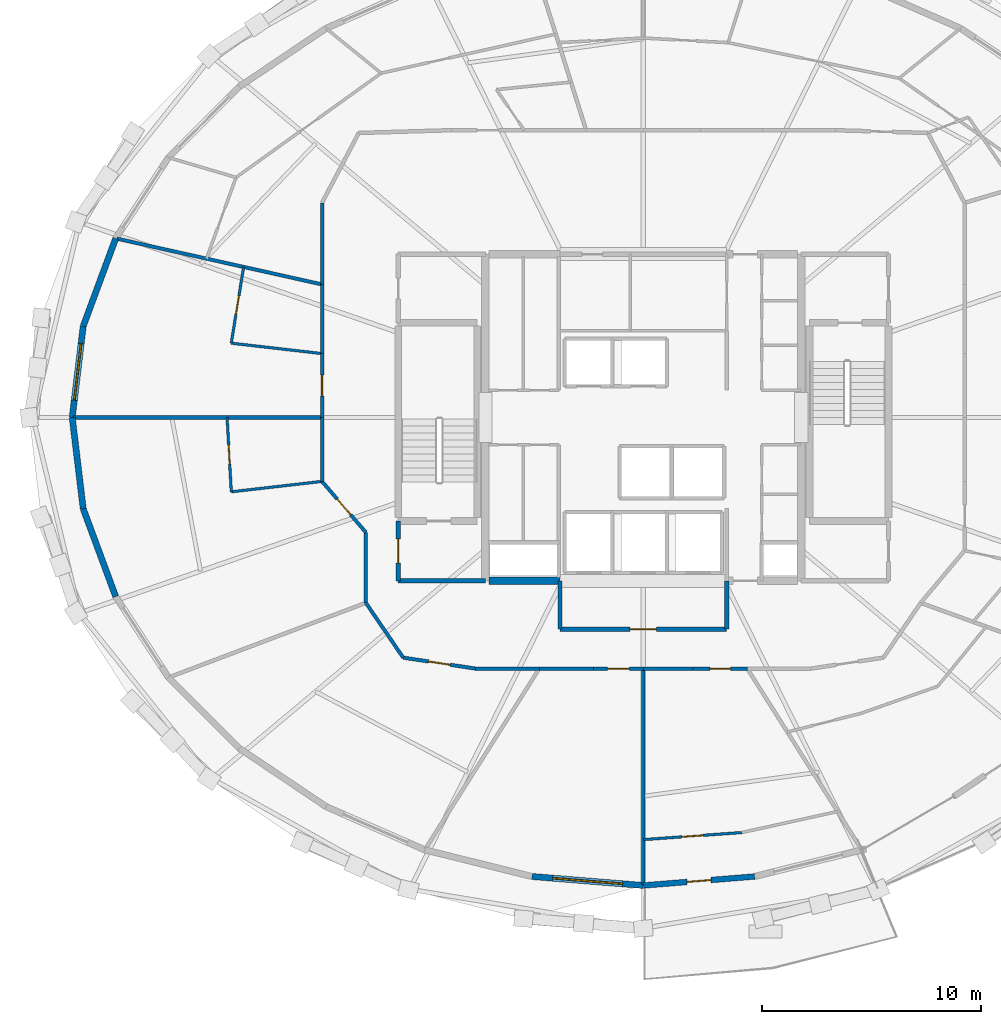
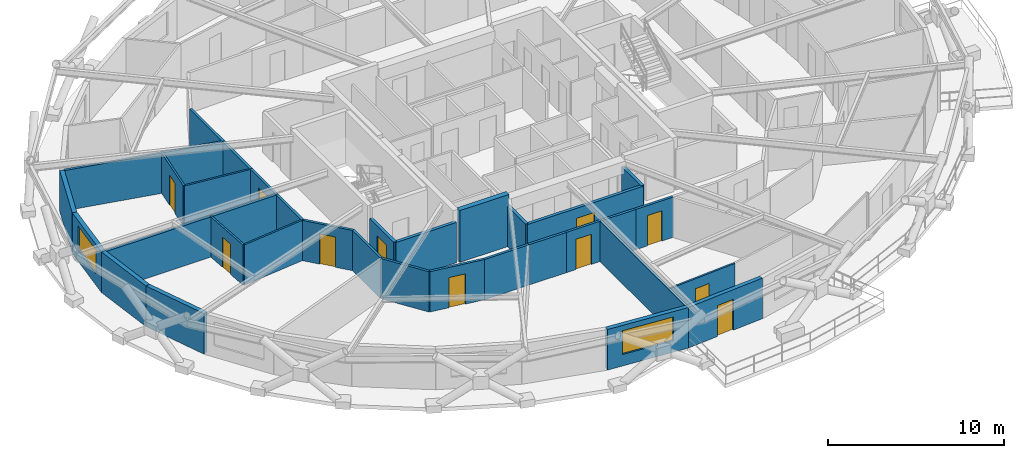
# One storey, part 10 of 16: 33 walls, 11 doors, 2 windows, 13 openings.
"""IFC4 building model written with IfcOpenShell, lengths in metres."""

from ifc_helpers import new_model, si_unit, direction, frame, frame_2d, origin, place, context, subcontext, project, spatial, rectangle, extrude, material, layer, layer_set, type_object, element, fill, save


model = new_model("IFC4")

# Units and contexts
model_context = context("Model", 3, precision=1e-05, world=origin(), true_north=direction((0.0, 1.0)))
body_context = subcontext(model_context, "Body", "Model", "MODEL_VIEW")
ifc_project = project(units=[si_unit("LENGTHUNIT", "METRE"), si_unit("AREAUNIT", "SQUARE_METRE"), si_unit("VOLUMEUNIT", "CUBIC_METRE"), si_unit("PLANEANGLEUNIT", "RADIAN"), si_unit("MASSUNIT", "GRAM", prefix="KILO")], contexts=[model_context])

# Site, building, storey
site_placement = place(None, origin())
site = spatial("IfcSite", under=ifc_project, at=site_placement, CompositionType="ELEMENT")
building_placement = place(site_placement, origin())
building = spatial("IfcBuilding", under=site, at=building_placement, Name="Veldorina Hangang Commons", CompositionType="ELEMENT")
storey_placement = place(building_placement, frame((0.0, 0.0, 174.800048828125)))
storey = spatial("IfcBuildingStorey", under=building, at=storey_placement, Name="L45", CompositionType="ELEMENT", Elevation=174.800048828125)

# Wall
ifc_material_1 = material(Name="Concrete C60/75", Category="concrete")
ifc_layer_1 = layer(ifc_material_1, 0.340087890625)
ifc_layer_set_1 = layer_set([ifc_layer_1], Name="Concrete C60/75")
wall_type_1 = type_object("IfcWallType", Name="CW-RC340-C60", PredefinedType="SHEAR", material=ifc_layer_set_1)
wall_1_placement = place(storey_placement, frame((24.969970703125, 16.550048828125, 0.0), z_axis=(0.0, 0.0, 1.0), x_axis=(1.0, 0.0, 0.0)))
element("IfcWall", 1, at=wall_1_placement, inside=storey, type_object=wall_type_1, Name="L45 south-west core shear wall", PredefinedType="SHEAR", context=body_context, shape_type="SweptSolid", body=[
    extrude(rectangle(XDim=3.22998046875, YDim=0.340087890625, at=frame_2d((1.614990234375, 0.0))), origin(), (0.0, 0.0, 1.0), 3.599853515625),
])

# Wall, opening, door
ifc_material_2 = material(Name="Stone Roman Travertine", Category="masonry")
ifc_layer_2 = layer(ifc_material_2, 0.260009765625)
ifc_layer_set_2 = layer_set([ifc_layer_2], Name="Stone Roman Travertine")
wall_type_2 = type_object("IfcWallType", Name="EW-LOGGIA-260", PredefinedType="STANDARD", material=ifc_layer_set_2)
wall_2_placement = place(storey_placement, frame((32.0, 2.659912109375, 0.0), z_axis=(0.0, 0.0, 1.0), x_axis=(0.996756522082, 0.080476305128, 0.0)))
wall_2 = element("IfcWall", 2, at=wall_2_placement, inside=storey, type_object=wall_type_2, Name="L45 sky-garden loggia portal wall 24", PredefinedType="STANDARD", context=body_context, shape_type="SweptSolid", body=[
    extrude(rectangle(XDim=5.0966796875, YDim=0.260009765625, at=frame_2d((2.54833984375, 0.0))), origin(), (0.0, 0.0, 1.0), 2.820068359375),
])
opening_1_placement = place(wall_2_placement, frame((1.998291015625, 0.0, 0.0)))
opening_1 = element("IfcOpeningElement", 3, at=opening_1_placement, cuts=wall_2, Name="Opening BD-1100", PredefinedType="OPENING", context=body_context, shape_type="SweptSolid", body=[
    extrude(rectangle(XDim=1.10009765625, YDim=2.14990234375, at=frame_2d((0.550048828125, 1.074951171875))), frame((0.0, 0.14013671875, 0.0), z_axis=(0.0, -1.0, 0.0), x_axis=(1.0, 0.0, 0.0)), (0.0, 0.0, 1.0), 0.280029296875),
])
ifc_material_3 = material(Name="Glass Thermal Aluminium Frame", Category="aluminium")
door_type_1 = type_object("IfcDoorType", Name="DR-EXT-BAL1100", OperationType="SINGLE_SWING_RIGHT", PredefinedType="DOOR", material=ifc_material_3)
door_1_placement = place(opening_1_placement, origin())
door_1 = element("IfcDoor", 4, at=door_1_placement, inside=storey, type_object=door_type_1, Name="L45 tree balcony glazed exterior door 24", OperationType="SINGLE_SWING_LEFT", OverallHeight=2.14990234375, OverallWidth=1.10009765625, PredefinedType="DOOR", context=body_context, shape_type="SweptSolid", body=[
    extrude(rectangle(XDim=1.10009765625, YDim=2.14990234375, at=frame_2d((0.550048828125, 1.074951171875))), frame((0.0, 0.02490234375, 0.0), z_axis=(0.0, -1.0, 0.0), x_axis=(1.0, 0.0, 0.0)), (0.0, 0.0, 1.0), 0.050048828125),
])
fill(opening_1, door_1)

# Wall
ifc_layer_3 = layer(ifc_material_2, 0.280029296875)
ifc_layer_set_3 = layer_set([ifc_layer_3], Name="Stone Roman Travertine")
wall_type_3 = type_object("IfcWallType", Name="EW-TRAV-280", PredefinedType="STANDARD", material=ifc_layer_set_3)
wall_3_placement = place(storey_placement, frame((7.942138671875, 32.16650390625, 0.0), z_axis=(0.0, 0.0, 1.0), x_axis=(-0.347096410893, -0.93782945227, 0.0)))
element("IfcWall", 5, at=wall_3_placement, inside=storey, type_object=wall_type_3, Name="L45 travertine facade wall 14", PredefinedType="STANDARD", context=body_context, shape_type="SweptSolid", body=[
    extrude(rectangle(XDim=4.268798828125, YDim=0.280029296875, at=frame_2d((2.13427734375, 0.0))), origin(), (0.0, 0.0, 1.0), 2.820068359375),
])

# Wall, opening, window
wall_4_placement = place(storey_placement, frame((6.46044921875, 28.1630859375, 0.0), z_axis=(0.0, 0.0, 1.0), x_axis=(-0.119361035634, -0.992850916892, 0.0)))
wall_4 = element("IfcWall", 6, at=wall_4_placement, inside=storey, type_object=wall_type_3, Name="L45 travertine facade wall 15", PredefinedType="STANDARD", context=body_context, shape_type="SweptSolid", body=[
    extrude(rectangle(XDim=4.193115234375, YDim=0.280029296875, at=frame_2d((2.0966796875, 0.0))), origin(), (0.0, 0.0, 1.0), 2.820068359375),
])
opening_2_placement = place(wall_4_placement, frame((0.796630859375, 0.0, 0.800048828125)))
opening_2 = element("IfcOpeningElement", 7, at=opening_2_placement, cuts=wall_4, Name="Opening W-02", PredefinedType="OPENING", context=body_context, shape_type="SweptSolid", body=[
    extrude(rectangle(XDim=2.60009765625, YDim=1.64990234375, at=frame_2d((1.300048828125, 0.824951171875))), frame((0.0, 0.14990234375, 0.0), z_axis=(0.0, -1.0, 0.0), x_axis=(1.0, 0.0, 0.0)), (0.0, 0.0, 1.0), 0.300048828125),
])
ifc_material_4 = material(Name="Glass Low-E Triple IGU", Category="glass")
window_type_1 = type_object("IfcWindowType", Name="WIN-TWR-2600", PartitioningType="SINGLE_PANEL", PredefinedType="WINDOW", material=ifc_material_4)
window_1_placement = place(opening_2_placement, origin())
window_1 = element("IfcWindow", 8, at=window_1_placement, inside=storey, type_object=window_type_1, Name="L45 facade window 15", OverallHeight=1.64990234375, OverallWidth=2.60009765625, PartitioningType="SINGLE_PANEL", PredefinedType="WINDOW", context=body_context, shape_type="SweptSolid", body=[
    extrude(rectangle(XDim=2.60009765625, YDim=1.64990234375, at=frame_2d((1.300048828125, 0.824951171875))), frame((0.0, 0.030029296875, 0.0), z_axis=(0.0, -1.0, 0.0), x_axis=(1.0, 0.0, 0.0)), (0.0, 0.0, 1.0), 0.06005859375),
])
fill(opening_2, window_1)

# Walls
wall_5_placement = place(storey_placement, frame((5.9599609375, 24.0, 0.0), z_axis=(0.0, 0.0, 1.0), x_axis=(0.119361035634, -0.992850916892, 0.0)))
element("IfcWall", 9, at=wall_5_placement, inside=storey, type_object=wall_type_3, Name="L45 travertine facade wall 16", PredefinedType="STANDARD", context=body_context, shape_type="SweptSolid", body=[
    extrude(rectangle(XDim=4.193115234375, YDim=0.280029296875, at=frame_2d((2.0966796875, 0.0))), origin(), (0.0, 0.0, 1.0), 2.820068359375),
])
wall_6_placement = place(storey_placement, frame((6.46044921875, 19.8369140625, 0.0), z_axis=(0.0, 0.0, 1.0), x_axis=(0.347096410893, -0.93782945227, 0.0)))
element("IfcWall", 10, at=wall_6_placement, inside=storey, type_object=wall_type_3, Name="L45 travertine facade wall 17", PredefinedType="STANDARD", context=body_context, shape_type="SweptSolid", body=[
    extrude(rectangle(XDim=4.268798828125, YDim=0.280029296875, at=frame_2d((2.13427734375, 0.0))), origin(), (0.0, 0.0, 1.0), 2.820068359375),
])

# Wall, opening, window
wall_7_placement = place(storey_placement, frame((26.919921875, 3.070068359375, 0.0), z_axis=(0.0, 0.0, 1.0), x_axis=(0.996756522082, -0.080476305128, 0.0)))
wall_7 = element("IfcWall", 11, at=wall_7_placement, inside=storey, type_object=wall_type_3, Name="L45 travertine facade wall 23", PredefinedType="STANDARD", context=body_context, shape_type="SweptSolid", body=[
    extrude(rectangle(XDim=5.0966796875, YDim=0.280029296875, at=frame_2d((2.54833984375, 0.0))), origin(), (0.0, 0.0, 1.0), 2.820068359375),
])
opening_3_placement = place(wall_7_placement, frame((0.948486328125, 0.0, 0.800048828125)))
opening_3 = element("IfcOpeningElement", 12, at=opening_3_placement, cuts=wall_7, Name="Opening W-01", PredefinedType="OPENING", context=body_context, shape_type="SweptSolid", body=[
    extrude(rectangle(XDim=3.199951171875, YDim=1.64990234375, at=frame_2d((1.60009765625, 0.824951171875))), frame((0.0, 0.14990234375, 0.0), z_axis=(0.0, -1.0, 0.0), x_axis=(1.0, 0.0, 0.0)), (0.0, 0.0, 1.0), 0.300048828125),
])
window_type_2 = type_object("IfcWindowType", Name="WIN-TWR-3200", PartitioningType="SINGLE_PANEL", PredefinedType="WINDOW", material=ifc_material_4)
window_2_placement = place(opening_3_placement, origin())
window_2 = element("IfcWindow", 13, at=window_2_placement, inside=storey, type_object=window_type_2, Name="L45 facade window 23", OverallHeight=1.64990234375, OverallWidth=3.199951171875, PartitioningType="SINGLE_PANEL", PredefinedType="WINDOW", context=body_context, shape_type="SweptSolid", body=[
    extrude(rectangle(XDim=3.199951171875, YDim=1.64990234375, at=frame_2d((1.60009765625, 0.824951171875))), frame((0.0, 0.030029296875, 0.0), z_axis=(0.0, -1.0, 0.0), x_axis=(1.0, 0.0, 0.0)), (0.0, 0.0, 1.0), 0.06005859375),
])
fill(opening_3, window_2)

# Walls
ifc_material_5 = material(Name="Gypsum Fire-Rated Twin Stud Wall", Category="gypsum")
ifc_layer_4 = layer(ifc_material_5, 0.159912109375)
ifc_layer_set_4 = layer_set([ifc_layer_4], Name="Gypsum Fire-Rated Twin Stud Wall")
wall_type_4 = type_object("IfcWallType", Name="WL-FIRE-160", PredefinedType="SOLIDWALL", material=ifc_layer_set_4)
wall_8_placement = place(storey_placement, frame((17.35009765625, 33.788818359375, 0.0), z_axis=(0.0, 0.0, 1.0), x_axis=(0.0, -1.0, 0.0)))
element("IfcWall", 14, at=wall_8_placement, inside=storey, type_object=wall_type_4, Name="L45 U-corridor outer wall 13 063", PredefinedType="SOLIDWALL", context=body_context, shape_type="SweptSolid", body=[
    extrude(rectangle(XDim=3.720703125, YDim=0.159912109375, at=frame_2d((1.8603515625, 0.0))), origin(), (0.0, 0.0, 1.0), 2.800048828125),
])
wall_9_placement = place(storey_placement, frame((17.35009765625, 30.068115234375, 0.0), z_axis=(0.0, 0.0, 1.0), x_axis=(0.0, -1.0, 0.0)))
element("IfcWall", 15, at=wall_9_placement, inside=storey, type_object=wall_type_4, Name="L45 U-corridor outer wall 14 064", PredefinedType="SOLIDWALL", context=body_context, shape_type="SweptSolid", body=[
    extrude(rectangle(XDim=3.154052734375, YDim=0.159912109375, at=frame_2d((1.5771484375, 0.0))), origin(), (0.0, 0.0, 1.0), 2.800048828125),
])

# Wall, opening, door
wall_10_placement = place(storey_placement, frame((17.35009765625, 26.9140625, 0.0), z_axis=(0.0, 0.0, 1.0), x_axis=(0.0, -1.0, 0.0)))
wall_10 = element("IfcWall", 16, at=wall_10_placement, inside=storey, type_object=wall_type_4, Name="L45 U-corridor outer wall 15 065", PredefinedType="SOLIDWALL", context=body_context, shape_type="SweptSolid", body=[
    extrude(rectangle(XDim=2.9140625, YDim=0.159912109375, at=frame_2d((1.45703125, 0.0))), origin(), (0.0, 0.0, 1.0), 2.800048828125),
])
opening_4_placement = place(wall_10_placement, frame((0.98193359375, 0.0, 0.0)))
opening_4 = element("IfcOpeningElement", 17, at=opening_4_placement, cuts=wall_10, Name="Opening D-03", PredefinedType="OPENING", context=body_context, shape_type="SweptSolid", body=[
    extrude(rectangle(XDim=0.949951171875, YDim=2.10009765625, at=frame_2d((0.47509765625, 1.050048828125))), frame((0.0, 0.08984375, 0.0), z_axis=(0.0, -1.0, 0.0), x_axis=(1.0, 0.0, 0.0)), (0.0, 0.0, 1.0), 0.179931640625),
])
ifc_material_6 = material(Name="Timber Fire-Rated Entrance Core", Category="wood")
door_type_2 = type_object("IfcDoorType", Name="DR-UNIT-950", OperationType="SINGLE_SWING_RIGHT", PredefinedType="DOOR", material=ifc_material_6)
door_2_placement = place(opening_4_placement, origin())
door_2 = element("IfcDoor", 18, at=door_2_placement, inside=storey, type_object=door_type_2, Name="L45 Studio 5 entrance door 044", OperationType="SINGLE_SWING_RIGHT", OverallHeight=2.10009765625, OverallWidth=0.949951171875, PredefinedType="DOOR", context=body_context, shape_type="SweptSolid", body=[
    extrude(rectangle(XDim=0.949951171875, YDim=2.10009765625, at=frame_2d((0.47509765625, 1.050048828125))), frame((0.0, 0.02490234375, 0.0), z_axis=(0.0, -1.0, 0.0), x_axis=(1.0, 0.0, 0.0)), (0.0, 0.0, 1.0), 0.050048828125),
])
fill(opening_4, door_2)

# Wall
wall_11_placement = place(storey_placement, frame((17.35009765625, 24.0, 0.0), z_axis=(0.0, 0.0, 1.0), x_axis=(0.0, -1.0, 0.0)))
element("IfcWall", 19, at=wall_11_placement, inside=storey, type_object=wall_type_4, Name="L45 U-corridor outer wall 16 066", PredefinedType="SOLIDWALL", context=body_context, shape_type="SweptSolid", body=[
    extrude(rectangle(XDim=2.9140625, YDim=0.159912109375, at=frame_2d((1.45703125, 0.0))), origin(), (0.0, 0.0, 1.0), 2.800048828125),
])

# Wall, opening, door
wall_12_placement = place(storey_placement, frame((17.35009765625, 21.0859375, 0.0), z_axis=(0.0, 0.0, 1.0), x_axis=(0.652022797448, -0.758199361388, 0.0)))
wall_12 = element("IfcWall", 20, at=wall_12_placement, inside=storey, type_object=wall_type_4, Name="L45 U-corridor outer wall 17 067", PredefinedType="SOLIDWALL", context=body_context, shape_type="SweptSolid", body=[
    extrude(rectangle(XDim=3.0673828125, YDim=0.159912109375, at=frame_2d((1.53369140625, 0.0))), origin(), (0.0, 0.0, 1.0), 2.800048828125),
])
opening_5_placement = place(wall_12_placement, frame((1.05859375, 0.0, 0.0)))
opening_5 = element("IfcOpeningElement", 21, at=opening_5_placement, cuts=wall_12, Name="Opening D-03", PredefinedType="OPENING", context=body_context, shape_type="SweptSolid", body=[
    extrude(rectangle(XDim=0.949951171875, YDim=2.10009765625, at=frame_2d((0.47509765625, 1.050048828125))), frame((0.0, 0.08984375, 0.0), z_axis=(0.0, -1.0, 0.0), x_axis=(1.0, 0.0, 0.0)), (0.0, 0.0, 1.0), 0.179931640625),
])
door_3_placement = place(opening_5_placement, origin())
door_3 = element("IfcDoor", 22, at=door_3_placement, inside=storey, type_object=door_type_2, Name="L45 Studio 6 entrance door 046", OperationType="SINGLE_SWING_RIGHT", OverallHeight=2.10009765625, OverallWidth=0.949951171875, PredefinedType="DOOR", context=body_context, shape_type="SweptSolid", body=[
    extrude(rectangle(XDim=0.949951171875, YDim=2.10009765625, at=frame_2d((0.47509765625, 1.050048828125))), frame((0.0, 0.02490234375, 0.0), z_axis=(0.0, -1.0, 0.0), x_axis=(1.0, 0.0, 0.0)), (0.0, 0.0, 1.0), 0.050048828125),
])
fill(opening_5, door_3)

# Walls
wall_13_placement = place(storey_placement, frame((19.35009765625, 18.76025390625, 0.0), z_axis=(0.0, 0.0, 1.0), x_axis=(0.0, -1.0, 0.0)))
element("IfcWall", 23, at=wall_13_placement, inside=storey, type_object=wall_type_4, Name="L45 U-corridor outer wall 18 068", PredefinedType="SOLIDWALL", context=body_context, shape_type="SweptSolid", body=[
    extrude(rectangle(XDim=3.212646484375, YDim=0.159912109375, at=frame_2d((1.6064453125, 0.0))), origin(), (0.0, 0.0, 1.0), 2.800048828125),
])
wall_14_placement = place(storey_placement, frame((19.35009765625, 15.547607421875, 0.0), z_axis=(0.0, 0.0, 1.0), x_axis=(0.562674669208, -0.826678423955, 0.0)))
element("IfcWall", 24, at=wall_14_placement, inside=storey, type_object=wall_type_4, Name="L45 U-corridor outer wall 19 069", PredefinedType="SOLIDWALL", context=body_context, shape_type="SweptSolid", body=[
    extrude(rectangle(XDim=3.021240234375, YDim=0.159912109375, at=frame_2d((1.5107421875, 0.0))), origin(), (0.0, 0.0, 1.0), 2.800048828125),
])

# Wall, opening, door
wall_15_placement = place(storey_placement, frame((21.050048828125, 13.050048828125, 0.0), z_axis=(0.0, 0.0, 1.0), x_axis=(0.988710906508, -0.149835721217, 0.0)))
wall_15 = element("IfcWall", 25, at=wall_15_placement, inside=storey, type_object=wall_type_4, Name="L45 U-corridor outer wall 20 070", PredefinedType="SOLIDWALL", context=body_context, shape_type="SweptSolid", body=[
    extrude(rectangle(XDim=3.3369140625, YDim=0.159912109375, at=frame_2d((1.66845703125, 0.0))), origin(), (0.0, 0.0, 1.0), 2.800048828125),
])
opening_6_placement = place(wall_15_placement, frame((1.16845703125, 0.0, 0.0)))
opening_6 = element("IfcOpeningElement", 26, at=opening_6_placement, cuts=wall_15, Name="Opening D-05", PredefinedType="OPENING", context=body_context, shape_type="SweptSolid", body=[
    extrude(rectangle(XDim=1.0, YDim=2.10009765625, at=frame_2d((0.5, 1.050048828125))), frame((0.0, 0.08984375, 0.0), z_axis=(0.0, -1.0, 0.0), x_axis=(1.0, 0.0, 0.0)), (0.0, 0.0, 1.0), 0.179931640625),
])
ifc_material_7 = material(Name="Timber Solid Core Acoustic", Category="wood")
door_type_3 = type_object("IfcDoorType", Name="DR-INT-1000", OperationType="SINGLE_SWING_RIGHT", PredefinedType="DOOR", material=ifc_material_7)
door_4_placement = place(opening_6_placement, origin())
door_4 = element("IfcDoor", 27, at=door_4_placement, inside=storey, type_object=door_type_3, Name="L45 Floor Study Room 7 door 047", OperationType="SINGLE_SWING_LEFT", OverallHeight=2.10009765625, OverallWidth=1.0, PredefinedType="DOOR", context=body_context, shape_type="SweptSolid", body=[
    extrude(rectangle(XDim=1.0, YDim=2.10009765625, at=frame_2d((0.5, 1.050048828125))), frame((0.0, 0.02490234375, 0.0), z_axis=(0.0, -1.0, 0.0), x_axis=(1.0, 0.0, 0.0)), (0.0, 0.0, 1.0), 0.050048828125),
])
fill(opening_6, door_4)

# Walls
wall_16_placement = place(storey_placement, frame((24.349365234375, 12.550048828125, 0.0), z_axis=(0.0, 0.0, 1.0), x_axis=(1.0, 0.0, 0.0)))
element("IfcWall", 28, at=wall_16_placement, inside=storey, type_object=wall_type_4, Name="L45 U-corridor outer wall 21 071", PredefinedType="SOLIDWALL", context=body_context, shape_type="SweptSolid", body=[
    extrude(rectangle(XDim=2.907958984375, YDim=0.159912109375, at=frame_2d((1.4541015625, 0.0))), origin(), (0.0, 0.0, 1.0), 2.800048828125),
])
wall_17_placement = place(storey_placement, frame((27.25732421875, 12.550048828125, 0.0), z_axis=(0.0, 0.0, 1.0), x_axis=(1.0, 0.0, 0.0)))
element("IfcWall", 29, at=wall_17_placement, inside=storey, type_object=wall_type_4, Name="L45 U-corridor outer wall 22 072", PredefinedType="SOLIDWALL", context=body_context, shape_type="SweptSolid", body=[
    extrude(rectangle(XDim=2.465087890625, YDim=0.159912109375, at=frame_2d((1.232421875, 0.0))), origin(), (0.0, 0.0, 1.0), 2.800048828125),
])

# Wall, opening, door
wall_18_placement = place(storey_placement, frame((29.722412109375, 12.550048828125, 0.0), z_axis=(0.0, 0.0, 1.0), x_axis=(1.0, 0.0, 0.0)))
wall_18 = element("IfcWall", 30, at=wall_18_placement, inside=storey, type_object=wall_type_4, Name="L45 U-corridor outer wall 23 073", PredefinedType="SOLIDWALL", context=body_context, shape_type="SweptSolid", body=[
    extrude(rectangle(XDim=2.277587890625, YDim=0.159912109375, at=frame_2d((1.138671875, 0.0))), origin(), (0.0, 0.0, 1.0), 2.800048828125),
])
opening_7_placement = place(wall_18_placement, frame((0.638671875, 0.0, 0.0)))
opening_7 = element("IfcOpeningElement", 31, at=opening_7_placement, cuts=wall_18, Name="Opening D-05", PredefinedType="OPENING", context=body_context, shape_type="SweptSolid", body=[
    extrude(rectangle(XDim=1.0, YDim=2.10009765625, at=frame_2d((0.5, 1.050048828125))), frame((0.0, 0.08984375, 0.0), z_axis=(0.0, -1.0, 0.0), x_axis=(1.0, 0.0, 0.0)), (0.0, 0.0, 1.0), 0.179931640625),
])
door_5_placement = place(opening_7_placement, origin())
door_5 = element("IfcDoor", 32, at=door_5_placement, inside=storey, type_object=door_type_3, Name="L45 Seminar Focus Room 8 door 048", OperationType="SINGLE_SWING_RIGHT", OverallHeight=2.10009765625, OverallWidth=1.0, PredefinedType="DOOR", context=body_context, shape_type="SweptSolid", body=[
    extrude(rectangle(XDim=1.0, YDim=2.10009765625, at=frame_2d((0.5, 1.050048828125))), frame((0.0, 0.02490234375, 0.0), z_axis=(0.0, -1.0, 0.0), x_axis=(1.0, 0.0, 0.0)), (0.0, 0.0, 1.0), 0.050048828125),
])
fill(opening_7, door_5)

# Wall
wall_19_placement = place(storey_placement, frame((32.0, 12.550048828125, 0.0), z_axis=(0.0, 0.0, 1.0), x_axis=(1.0, 0.0, 0.0)))
element("IfcWall", 33, at=wall_19_placement, inside=storey, type_object=wall_type_4, Name="L45 U-corridor outer wall 24 074", PredefinedType="SOLIDWALL", context=body_context, shape_type="SweptSolid", body=[
    extrude(rectangle(XDim=2.277587890625, YDim=0.159912109375, at=frame_2d((1.138671875, 0.0))), origin(), (0.0, 0.0, 1.0), 2.800048828125),
])

# Wall, opening, door
wall_20_placement = place(storey_placement, frame((34.277587890625, 12.550048828125, 0.0), z_axis=(0.0, 0.0, 1.0), x_axis=(1.0, 0.0, 0.0)))
wall_20 = element("IfcWall", 34, at=wall_20_placement, inside=storey, type_object=wall_type_4, Name="L45 U-corridor outer wall 25 075", PredefinedType="SOLIDWALL", context=body_context, shape_type="SweptSolid", body=[
    extrude(rectangle(XDim=2.465087890625, YDim=0.159912109375, at=frame_2d((1.232421875, 0.0))), origin(), (0.0, 0.0, 1.0), 2.800048828125),
])
opening_8_placement = place(wall_20_placement, frame((0.757568359375, 0.0, 0.0)))
opening_8 = element("IfcOpeningElement", 35, at=opening_8_placement, cuts=wall_20, Name="Opening D-02", PredefinedType="OPENING", context=body_context, shape_type="SweptSolid", body=[
    extrude(rectangle(XDim=0.949951171875, YDim=2.10009765625, at=frame_2d((0.47509765625, 1.050048828125))), frame((0.0, 0.08984375, 0.0), z_axis=(0.0, -1.0, 0.0), x_axis=(1.0, 0.0, 0.0)), (0.0, 0.0, 1.0), 0.179931640625),
])
door_type_4 = type_object("IfcDoorType", Name="DR-INT-950", OperationType="SINGLE_SWING_LEFT", PredefinedType="DOOR", material=ifc_material_7)
door_6_placement = place(opening_8_placement, origin())
door_6 = element("IfcDoor", 36, at=door_6_placement, inside=storey, type_object=door_type_4, Name="L45 Linen drying store door 049", OperationType="SINGLE_SWING_LEFT", OverallHeight=2.10009765625, OverallWidth=0.949951171875, PredefinedType="DOOR", context=body_context, shape_type="SweptSolid", body=[
    extrude(rectangle(XDim=0.949951171875, YDim=2.10009765625, at=frame_2d((0.47509765625, 1.050048828125))), frame((0.0, 0.02490234375, 0.0), z_axis=(0.0, -1.0, 0.0), x_axis=(1.0, 0.0, 0.0)), (0.0, 0.0, 1.0), 0.050048828125),
])
fill(opening_8, door_6)

# Walls
wall_21_placement = place(storey_placement, frame((17.35009765625, 30.068115234375, 0.0), z_axis=(0.0, 0.0, 1.0), x_axis=(-0.976019030179, 0.217685214765, 0.0)))
element("IfcWall", 37, at=wall_21_placement, inside=storey, type_object=wall_type_4, Name="L45 Unit party wall 14 118", PredefinedType="SOLIDWALL", context=body_context, shape_type="SweptSolid", body=[
    extrude(rectangle(XDim=9.589111328125, YDim=0.159912109375, at=frame_2d((4.79443359375, 0.0))), origin(), (0.0, 0.0, 1.0), 2.800048828125),
])
wall_22_placement = place(storey_placement, frame((17.35009765625, 24.0, 0.0), z_axis=(0.0, 0.0, 1.0), x_axis=(-1.0, 0.0, 0.0)))
element("IfcWall", 38, at=wall_22_placement, inside=storey, type_object=wall_type_4, Name="L45 Unit party wall 16 121", PredefinedType="SOLIDWALL", context=body_context, shape_type="SweptSolid", body=[
    extrude(rectangle(XDim=11.340087890625, YDim=0.159912109375, at=frame_2d((5.669921875, 0.0))), origin(), (0.0, 0.0, 1.0), 2.800048828125),
])
wall_23_placement = place(storey_placement, frame((32.0, 12.550048828125, 0.0), z_axis=(0.0, 0.0, 1.0), x_axis=(0.0, -1.0, 0.0)))
element("IfcWall", 39, at=wall_23_placement, inside=storey, type_object=wall_type_4, Name="L45 Unit party wall 24 126", PredefinedType="SOLIDWALL", context=body_context, shape_type="SweptSolid", body=[
    extrude(rectangle(XDim=9.840087890625, YDim=0.159912109375, at=frame_2d((4.919921875, 0.0))), origin(), (0.0, 0.0, 1.0), 2.800048828125),
])

# Wall, opening, door
ifc_material_8 = material(Name="Concrete Blockwork Fire Wall C30/37", Category="masonry")
ifc_layer_5 = layer(ifc_material_8, 0.199951171875)
ifc_layer_set_5 = layer_set([ifc_layer_5], Name="Concrete Blockwork Fire Wall C30/37")
wall_type_5 = type_object("IfcWallType", Name="WL-FIRE-200", PredefinedType="SOLIDWALL", material=ifc_layer_set_5)
wall_24_placement = place(storey_placement, frame((20.820068359375, 16.550048828125, 0.0), z_axis=(0.0, 0.0, 1.0), x_axis=(0.0, 1.0, 0.0)))
wall_24 = element("IfcWall", 40, at=wall_24_placement, inside=storey, type_object=wall_type_5, Name="L45 West vestibule outer wall 001", PredefinedType="SOLIDWALL", context=body_context, shape_type="SweptSolid", body=[
    extrude(rectangle(XDim=2.72998046875, YDim=0.199951171875, at=frame_2d((1.364990234375, 0.0))), origin(), (0.0, 0.0, 1.0), 2.800048828125),
])
opening_9_placement = place(wall_24_placement, frame((0.81494140625, 0.0, 0.0)))
opening_9 = element("IfcOpeningElement", 41, at=opening_9_placement, cuts=wall_24, Name="Opening D-08", PredefinedType="OPENING", context=body_context, shape_type="SweptSolid", body=[
    extrude(rectangle(XDim=1.10009765625, YDim=2.10009765625, at=frame_2d((0.550048828125, 1.050048828125))), frame((0.0, 0.10986328125, 0.0), z_axis=(0.0, -1.0, 0.0), x_axis=(1.0, 0.0, 0.0)), (0.0, 0.0, 1.0), 0.219970703125),
])
ifc_material_9 = material(Name="Steel Fire-Rated Smoke Seal", Category="steel")
door_type_5 = type_object("IfcDoorType", Name="DR-FIRE-1100", OperationType="SINGLE_SWING_RIGHT", PredefinedType="DOOR", material=ifc_material_9)
door_7_placement = place(opening_9_placement, origin())
door_7 = element("IfcDoor", 42, at=door_7_placement, inside=storey, type_object=door_type_5, Name="L45 West vestibule west door 001", OperationType="SINGLE_SWING_LEFT", OverallHeight=2.10009765625, OverallWidth=1.10009765625, PredefinedType="DOOR", context=body_context, shape_type="SweptSolid", body=[
    extrude(rectangle(XDim=1.10009765625, YDim=2.10009765625, at=frame_2d((0.550048828125, 1.050048828125))), frame((0.0, 0.02490234375, 0.0), z_axis=(0.0, -1.0, 0.0), x_axis=(1.0, 0.0, 0.0)), (0.0, 0.0, 1.0), 0.050048828125),
])
fill(opening_9, door_7)

# Walls
wall_25_placement = place(storey_placement, frame((20.820068359375, 16.550048828125, 0.0), z_axis=(0.0, 0.0, 1.0), x_axis=(1.0, 0.0, 0.0)))
element("IfcWall", 43, at=wall_25_placement, inside=storey, type_object=wall_type_5, Name="L45 West vestibule south wall 002", PredefinedType="SOLIDWALL", context=body_context, shape_type="SweptSolid", body=[
    extrude(rectangle(XDim=3.97998046875, YDim=0.199951171875, at=frame_2d((1.989990234375, 0.0))), origin(), (0.0, 0.0, 1.0), 2.800048828125),
])
for number, where, z_axis, x_axis, name in (
    (44, (28.199951171875, 14.35009765625, 0.0), (0.0, 0.0, 1.0), (0.0, 1.0, 0.0), "L45 FF lobby west wall 012"),
    (45, (35.800048828125, 14.35009765625, 0.0), (0.0, 0.0, 1.0), (0.0, 1.0, 0.0), "L45 FF lobby east wall 013"),
):
    element("IfcWall", number, at=place(storey_placement, frame(where, z_axis=z_axis, x_axis=x_axis)), inside=storey, type_object=wall_type_5, Name=name, PredefinedType="SOLIDWALL", context=body_context, shape_type="SweptSolid", body=[
        extrude(rectangle(XDim=2.199951171875, YDim=0.199951171875, at=frame_2d((1.10009765625, 0.0))), origin(), (0.0, 0.0, 1.0), 2.800048828125),
    ])

# Wall, opening, door
wall_26_placement = place(storey_placement, frame((28.199951171875, 14.35009765625, 0.0), z_axis=(0.0, 0.0, 1.0), x_axis=(1.0, 0.0, 0.0)))
wall_26 = element("IfcWall", 46, at=wall_26_placement, inside=storey, type_object=wall_type_5, Name="L45 FF lobby south wall 014", PredefinedType="SOLIDWALL", context=body_context, shape_type="SweptSolid", body=[
    extrude(rectangle(XDim=7.60009765625, YDim=0.199951171875, at=frame_2d((3.800048828125, 0.0))), origin(), (0.0, 0.0, 1.0), 2.800048828125),
])
opening_10_placement = place(wall_26_placement, frame((3.199951171875, 0.0, 0.0)))
opening_10 = element("IfcOpeningElement", 47, at=opening_10_placement, cuts=wall_26, Name="Opening D-09", PredefinedType="OPENING", context=body_context, shape_type="SweptSolid", body=[
    extrude(rectangle(XDim=1.199951171875, YDim=2.10009765625, at=frame_2d((0.60009765625, 1.050048828125))), frame((0.0, 0.10986328125, 0.0), z_axis=(0.0, -1.0, 0.0), x_axis=(1.0, 0.0, 0.0)), (0.0, 0.0, 1.0), 0.219970703125),
])
ifc_material_10 = material(Name="Steel Fire-Rated Corridor Door", Category="steel")
door_type_6 = type_object("IfcDoorType", Name="DR-FIRE-1200", OperationType="SINGLE_SWING_LEFT", PredefinedType="DOOR", material=ifc_material_10)
door_8_placement = place(opening_10_placement, origin())
door_8 = element("IfcDoor", 48, at=door_8_placement, inside=storey, type_object=door_type_6, Name="L45 FF lobby south corridor door 005", OperationType="SINGLE_SWING_LEFT", OverallHeight=2.10009765625, OverallWidth=1.199951171875, PredefinedType="DOOR", context=body_context, shape_type="SweptSolid", body=[
    extrude(rectangle(XDim=1.199951171875, YDim=2.10009765625, at=frame_2d((0.60009765625, 1.050048828125))), frame((0.0, 0.02490234375, 0.0), z_axis=(0.0, -1.0, 0.0), x_axis=(1.0, 0.0, 0.0)), (0.0, 0.0, 1.0), 0.050048828125),
])
fill(opening_10, door_8)

ifc_material_11 = material(Name="Gypsum Acoustic Stud Partition", Category="gypsum")
ifc_layer_6 = layer(ifc_material_11, 0.1201171875)
ifc_layer_set_6 = layer_set([ifc_layer_6], Name="Gypsum Acoustic Stud Partition")
wall_type_6 = type_object("IfcWallType", Name="WL-PART-120", PredefinedType="PARTITIONING", material=ifc_layer_set_6)
wall_27_placement = place(storey_placement, frame((13.77490234375, 30.865478515625, 0.0), z_axis=(0.0, 0.0, 1.0), x_axis=(-0.159855739545, -0.987140386437, 0.0)))
wall_27 = element("IfcWall", 49, at=wall_27_placement, inside=storey, type_object=wall_type_6, Name="L45 Studio 5 bath front wall 119", PredefinedType="PARTITIONING", context=body_context, shape_type="SweptSolid", body=[
    extrude(rectangle(XDim=3.52197265625, YDim=0.1201171875, at=frame_2d((1.760986328125, 0.0))), origin(), (0.0, 0.0, 1.0), 2.800048828125),
])
opening_11_placement = place(wall_27_placement, frame((1.3310546875, 0.0, 0.0)))
opening_11 = element("IfcOpeningElement", 50, at=opening_11_placement, cuts=wall_27, Name="Opening D-01", PredefinedType="OPENING", context=body_context, shape_type="SweptSolid", body=[
    extrude(rectangle(XDim=0.860107421875, YDim=2.10009765625, at=frame_2d((0.43017578125, 1.050048828125))), frame((0.0, 0.070068359375, 0.0), z_axis=(0.0, -1.0, 0.0), x_axis=(1.0, 0.0, 0.0)), (0.0, 0.0, 1.0), 0.14013671875),
])
ifc_material_12 = material(Name="Timber Moisture-Resistant Core", Category="wood")
door_type_7 = type_object("IfcDoorType", Name="DR-WET-860", OperationType="SINGLE_SWING_LEFT", PredefinedType="DOOR", material=ifc_material_12)
door_9_placement = place(opening_11_placement, origin())
door_9 = element("IfcDoor", 51, at=door_9_placement, inside=storey, type_object=door_type_7, Name="L45 Studio 5 bathroom door 043", OperationType="SINGLE_SWING_LEFT", OverallHeight=2.10009765625, OverallWidth=0.860107421875, PredefinedType="DOOR", context=body_context, shape_type="SweptSolid", body=[
    extrude(rectangle(XDim=0.860107421875, YDim=2.10009765625, at=frame_2d((0.43017578125, 1.050048828125))), frame((0.0, 0.02490234375, 0.0), z_axis=(0.0, -1.0, 0.0), x_axis=(1.0, 0.0, 0.0)), (0.0, 0.0, 1.0), 0.050048828125),
])
fill(opening_11, door_9)

# Wall
wall_28_placement = place(storey_placement, frame((17.35009765625, 26.9140625, 0.0), z_axis=(0.0, 0.0, 1.0), x_axis=(-0.993480615662, 0.114001167992, 0.0)))
element("IfcWall", 52, at=wall_28_placement, inside=storey, type_object=wall_type_6, Name="L45 Studio 5 bath side wall 120", PredefinedType="PARTITIONING", context=body_context, shape_type="SweptSolid", body=[
    extrude(rectangle(XDim=4.165283203125, YDim=0.1201171875, at=frame_2d((2.08251953125, 0.0))), origin(), (0.0, 0.0, 1.0), 2.800048828125),
])

# Wall, opening, door
wall_29_placement = place(storey_placement, frame((13.021728515625, 24.0, 0.0), z_axis=(0.0, 0.0, 1.0), x_axis=(0.056031711183, -0.998428989634, 0.0)))
wall_29 = element("IfcWall", 53, at=wall_29_placement, inside=storey, type_object=wall_type_6, Name="L45 Studio 6 bath front wall 122", PredefinedType="PARTITIONING", context=body_context, shape_type="SweptSolid", body=[
    extrude(rectangle(XDim=3.394287109375, YDim=0.1201171875, at=frame_2d((1.697265625, 0.0))), origin(), (0.0, 0.0, 1.0), 2.800048828125),
])
opening_12_placement = place(wall_29_placement, frame((1.26708984375, 0.0, 0.0)))
opening_12 = element("IfcOpeningElement", 54, at=opening_12_placement, cuts=wall_29, Name="Opening D-01", PredefinedType="OPENING", context=body_context, shape_type="SweptSolid", body=[
    extrude(rectangle(XDim=0.860107421875, YDim=2.10009765625, at=frame_2d((0.43017578125, 1.050048828125))), frame((0.0, 0.070068359375, 0.0), z_axis=(0.0, -1.0, 0.0), x_axis=(1.0, 0.0, 0.0)), (0.0, 0.0, 1.0), 0.14013671875),
])
door_10_placement = place(opening_12_placement, origin())
door_10 = element("IfcDoor", 55, at=door_10_placement, inside=storey, type_object=door_type_7, Name="L45 Studio 6 bathroom door 045", OperationType="SINGLE_SWING_LEFT", OverallHeight=2.10009765625, OverallWidth=0.860107421875, PredefinedType="DOOR", context=body_context, shape_type="SweptSolid", body=[
    extrude(rectangle(XDim=0.860107421875, YDim=2.10009765625, at=frame_2d((0.43017578125, 1.050048828125))), frame((0.0, 0.02490234375, 0.0), z_axis=(0.0, -1.0, 0.0), x_axis=(1.0, 0.0, 0.0)), (0.0, 0.0, 1.0), 0.050048828125),
])
fill(opening_12, door_10)

# Wall
wall_30_placement = place(storey_placement, frame((17.35009765625, 21.0859375, 0.0), z_axis=(0.0, 0.0, 1.0), x_axis=(-0.993480615662, -0.114001167992, 0.0)))
element("IfcWall", 56, at=wall_30_placement, inside=storey, type_object=wall_type_6, Name="L45 Studio 6 bath side wall 123", PredefinedType="PARTITIONING", context=body_context, shape_type="SweptSolid", body=[
    extrude(rectangle(XDim=4.165283203125, YDim=0.1201171875, at=frame_2d((2.08251953125, 0.0))), origin(), (0.0, 0.0, 1.0), 2.800048828125),
])

# Wall, opening, door
wall_31_placement = place(storey_placement, frame((32.0, 4.75048828125, 0.0), z_axis=(0.0, 0.0, 1.0), x_axis=(0.997412216748, 0.071894852964, 0.0)))
wall_31 = element("IfcWall", 57, at=wall_31_placement, inside=storey, type_object=wall_type_6, Name="L45 Laundry split 0 127", PredefinedType="PARTITIONING", context=body_context, shape_type="SweptSolid", body=[
    extrude(rectangle(XDim=4.49951171875, YDim=0.1201171875, at=frame_2d((2.249755859375, 0.0))), origin(), (0.0, 0.0, 1.0), 2.800048828125),
])
opening_13_placement = place(wall_31_placement, frame((1.774658203125, 0.0, 0.0)))
opening_13 = element("IfcOpeningElement", 58, at=opening_13_placement, cuts=wall_31, Name="Opening D-02", PredefinedType="OPENING", context=body_context, shape_type="SweptSolid", body=[
    extrude(rectangle(XDim=0.949951171875, YDim=2.10009765625, at=frame_2d((0.47509765625, 1.050048828125))), frame((0.0, 0.070068359375, 0.0), z_axis=(0.0, -1.0, 0.0), x_axis=(1.0, 0.0, 0.0)), (0.0, 0.0, 1.0), 0.14013671875),
])
door_11_placement = place(opening_13_placement, origin())
door_11 = element("IfcDoor", 59, at=door_11_placement, inside=storey, type_object=door_type_4, Name="L45 Resident laundry inner door 050", OperationType="SINGLE_SWING_RIGHT", OverallHeight=2.10009765625, OverallWidth=0.949951171875, PredefinedType="DOOR", context=body_context, shape_type="SweptSolid", body=[
    extrude(rectangle(XDim=0.949951171875, YDim=2.10009765625, at=frame_2d((0.47509765625, 1.050048828125))), frame((0.0, 0.02490234375, 0.0), z_axis=(0.0, -1.0, 0.0), x_axis=(1.0, 0.0, 0.0)), (0.0, 0.0, 1.0), 0.050048828125),
])
fill(opening_13, door_11)

save(model, "model.ifc")
